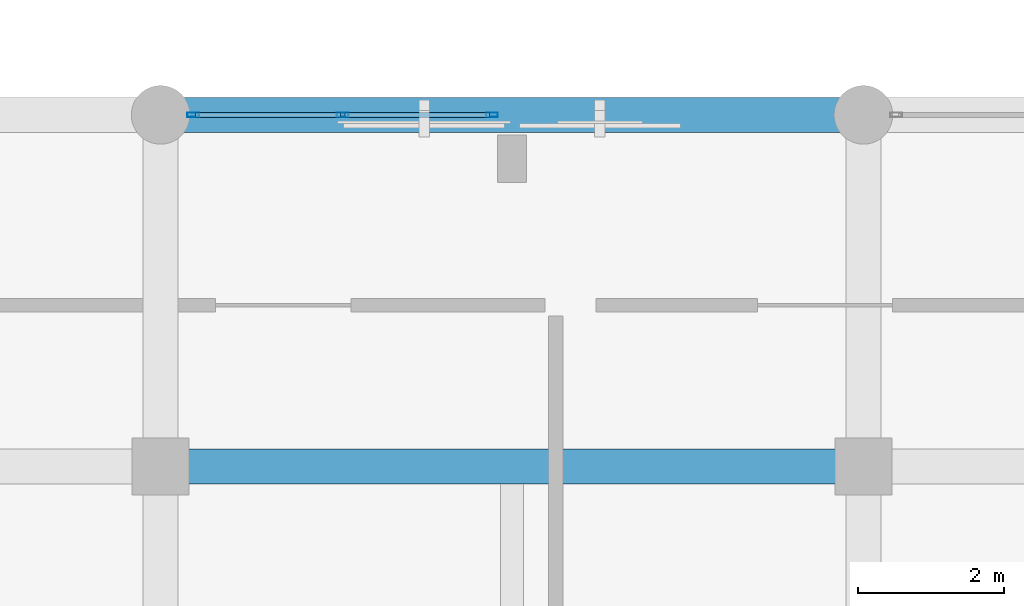
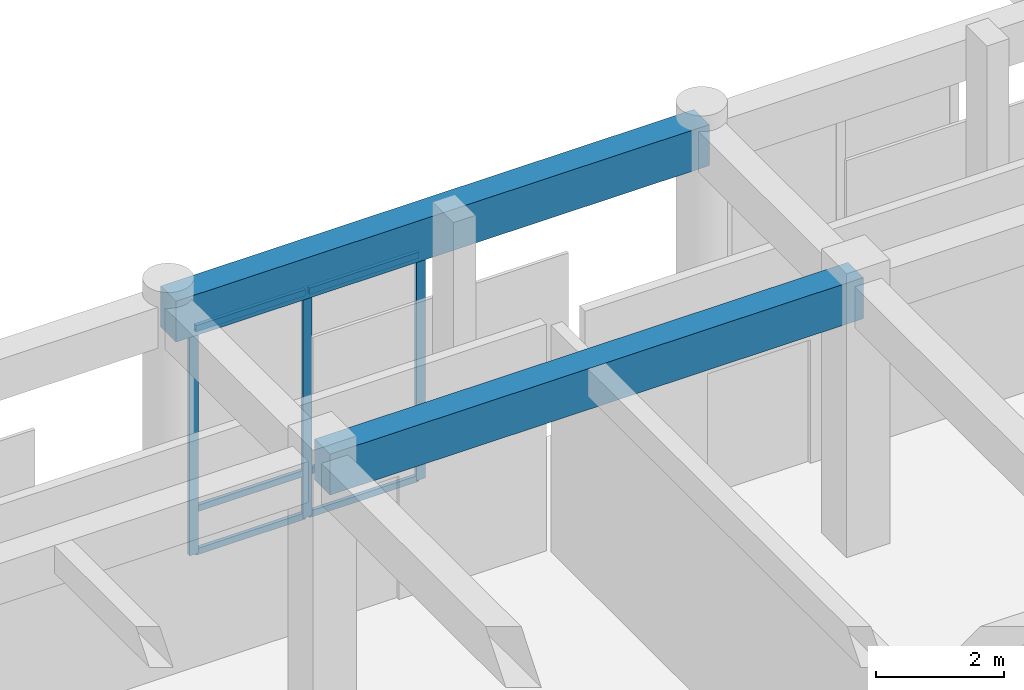
# One storey, part 32 of 134: 9 members, 2 beams, 1 element without a shape of its own.
"""IFC4 building model written with IfcOpenShell, lengths in metres."""

from ifc_helpers import new_model, si_unit, direction, frame, origin, origin_2d, place, context, subcontext, project, spatial, rectangle, hollow_rectangle, extrude, material, layer, layer_set, material_profile, profile_set, type_object, element, aggregate, save


model = new_model("IFC4")

# Units and contexts
model_context = context("Model", 3, precision=1e-05, world=origin(), true_north=direction((0.0, 1.0)))
body_context = subcontext(model_context, "Body", "Model", "MODEL_VIEW")
ifc_project = project(units=[si_unit("LENGTHUNIT", "METRE"), si_unit("AREAUNIT", "SQUARE_METRE"), si_unit("VOLUMEUNIT", "CUBIC_METRE"), si_unit("PLANEANGLEUNIT", "RADIAN"), si_unit("MASSUNIT", "GRAM", prefix="KILO")], contexts=[model_context])

# Site, building, storey
site_placement = place(None, origin())
site = spatial("IfcSite", under=ifc_project, at=site_placement, CompositionType="ELEMENT")
building_placement = place(site_placement, origin())
building = spatial("IfcBuilding", under=site, at=building_placement, Name="Nakhvara Creek Congress Hotel", CompositionType="ELEMENT")
storey_placement = place(building_placement, frame((0.0, 0.0, 6.0)))
storey = spatial("IfcBuildingStorey", under=building, at=storey_placement, Name="L01", CompositionType="ELEMENT", Elevation=6.0)

# Beams
ifc_material_1 = material(Name="Concrete C40/50", Category="concrete")
ifc_material_profile_1 = material_profile(ifc_material_1, rectangle(XDim=0.47998046875, YDim=0.780029296875, at=origin_2d()), Name="RC-BM 480x780", Category="LoadBearing")
ifc_profile_set_1 = profile_set([ifc_material_profile_1], Name="Concrete C40/50")
beam_type = type_object("IfcBeamType", Name="BM-RC-480X780", PredefinedType="BEAM", material=ifc_profile_set_1)
for number, where, z_axis, x_axis, name in (
    (1, (105.60009765625, 38.39990234375, 4.7099609375), (1.0, 0.0, 0.0), (0.0, 1.0, 0.0), "Beam B13-L01-1196"),
    (2, (105.60009765625, 43.199951171875, 4.7099609375), (1.0, 0.0, 0.0), (0.0, 1.0, 0.0), "Beam B13-L01-1197"),
):
    element("IfcBeam", number, at=place(storey_placement, frame(where, z_axis=z_axis, x_axis=x_axis)), inside=storey, type_object=beam_type, Name=name, PredefinedType="BEAM", context=body_context, shape_type="SweptSolid", body=[
        extrude(rectangle(XDim=0.47998046875, YDim=0.780029296875, at=origin_2d()), origin(), (0.0, 0.0, 1.0), 9.599853515625),
    ])

# Curtain wall, members
ifc_material_2 = material(Name="Bronze-anodised aluminium AW-6063-T6 and double-silver low-E glass", Category="aluminium")
ifc_layer = layer(ifc_material_2, 0.199951171875)
ifc_layer_set = layer_set([ifc_layer], Name="Bronze-anodised aluminium AW-6063-T6 and double-silver low-E glass")
curtain_wall_type = type_object("IfcCurtainWallType", Name="CW-POD-STICK", PredefinedType="NOTDEFINED", material=ifc_layer_set)
curtain_wall_placement = place(storey_placement, origin())
curtain_wall = element("IfcCurtainWall", 3, at=curtain_wall_placement, inside=storey, type_object=curtain_wall_type, Name="Curtain Wall CW023", PredefinedType="NOTDEFINED")
ifc_material_3 = material(Name="Bronze-anodised aluminium AW-6063-T6", Category="aluminium")
ifc_material_profile_2 = material_profile(ifc_material_3, hollow_rectangle(XDim=0.06494140625, YDim=0.159912109375, WallThickness=0.00390625, at=origin_2d()), Name="ALU-MULL 65x160x4", Category="LoadBearing")
ifc_profile_set_2 = profile_set([ifc_material_profile_2], Name="Bronze-anodised aluminium AW-6063-T6")
member_type_1 = type_object("IfcMemberType", Name="CW-MULL-160", PredefinedType="MULLION", material=ifc_profile_set_2)
member_1_placement = place(storey_placement, frame((106.047607421875, 43.199951171875, 0.0), z_axis=(0.0, 0.0, 1.0), x_axis=(0.0, 1.0, 0.0)))
member_1 = element("IfcMember", 4, at=member_1_placement, type_object=member_type_1, Name="CW023 mullion 1", PredefinedType="MULLION", context=body_context, shape_type="SweptSolid", body=[
    extrude(hollow_rectangle(XDim=0.06494140625, YDim=0.159912109375, WallThickness=0.00390625, at=origin_2d()), origin(), (0.0, 0.0, 1.0), 4.31201171875),
])
member_2_placement = place(storey_placement, frame((108.08740234375, 43.199951171875, 0.0), z_axis=(0.0, 0.0, 1.0), x_axis=(0.0, 1.0, 0.0)))
member_2 = element("IfcMember", 5, at=member_2_placement, type_object=member_type_1, Name="CW023 mullion 2", PredefinedType="MULLION", context=body_context, shape_type="SweptSolid", body=[
    extrude(hollow_rectangle(XDim=0.06494140625, YDim=0.159912109375, WallThickness=0.00390625, at=origin_2d()), origin(), (0.0, 0.0, 1.0), 4.31201171875),
])
member_3_placement = place(storey_placement, frame((110.12744140625, 43.199951171875, 0.0), z_axis=(0.0, 0.0, 1.0), x_axis=(0.0, 1.0, 0.0)))
member_3 = element("IfcMember", 6, at=member_3_placement, type_object=member_type_1, Name="CW023 mullion 3", PredefinedType="MULLION", context=body_context, shape_type="SweptSolid", body=[
    extrude(hollow_rectangle(XDim=0.06494140625, YDim=0.159912109375, WallThickness=0.00390625, at=origin_2d()), origin(), (0.0, 0.0, 1.0), 4.31201171875),
])
ifc_material_profile_3 = material_profile(ifc_material_3, hollow_rectangle(XDim=0.06494140625, YDim=0.1201171875, WallThickness=0.00390625, at=origin_2d()), Name="ALU-TRAN 65x120x4", Category="LoadBearing")
ifc_profile_set_3 = profile_set([ifc_material_profile_3], Name="Bronze-anodised aluminium AW-6063-T6")
member_type_2 = type_object("IfcMemberType", Name="CW-TRAN-120", PredefinedType="USERDEFINED", material=ifc_profile_set_3)
member_4_placement = place(storey_placement, frame((106.080078125, 43.199951171875, 0.032470703125), z_axis=(1.0, 0.0, 0.0), x_axis=(0.0, 1.0, 0.0)))
member_4 = element("IfcMember", 7, at=member_4_placement, type_object=member_type_2, Name="CW023 transom 1.1", ObjectType="TRANSOM", PredefinedType="USERDEFINED", context=body_context, shape_type="SweptSolid", body=[
    extrude(hollow_rectangle(XDim=0.06494140625, YDim=0.1201171875, WallThickness=0.00390625, at=origin_2d()), origin(), (0.0, 0.0, 1.0), 1.974853515625),
])
member_5_placement = place(storey_placement, frame((106.080078125, 43.199951171875, 0.85009765625), z_axis=(1.0, 0.0, 0.0), x_axis=(0.0, 1.0, 0.0)))
member_5 = element("IfcMember", 8, at=member_5_placement, type_object=member_type_2, Name="CW023 transom 1.2", ObjectType="TRANSOM", PredefinedType="USERDEFINED", context=body_context, shape_type="SweptSolid", body=[
    extrude(hollow_rectangle(XDim=0.06494140625, YDim=0.1201171875, WallThickness=0.00390625, at=origin_2d()), origin(), (0.0, 0.0, 1.0), 1.974853515625),
])
member_6_placement = place(storey_placement, frame((106.080078125, 43.199951171875, 4.279541015625), z_axis=(1.0, 0.0, 0.0), x_axis=(0.0, 1.0, 0.0)))
member_6 = element("IfcMember", 9, at=member_6_placement, type_object=member_type_2, Name="CW023 transom 1.3", ObjectType="TRANSOM", PredefinedType="USERDEFINED", context=body_context, shape_type="SweptSolid", body=[
    extrude(hollow_rectangle(XDim=0.06494140625, YDim=0.1201171875, WallThickness=0.00390625, at=origin_2d()), origin(), (0.0, 0.0, 1.0), 1.974853515625),
])
member_7_placement = place(storey_placement, frame((108.1201171875, 43.199951171875, 0.032470703125), z_axis=(1.0, 0.0, 0.0), x_axis=(0.0, 1.0, 0.0)))
member_7 = element("IfcMember", 10, at=member_7_placement, type_object=member_type_2, Name="CW023 transom 2.1", ObjectType="TRANSOM", PredefinedType="USERDEFINED", context=body_context, shape_type="SweptSolid", body=[
    extrude(hollow_rectangle(XDim=0.06494140625, YDim=0.1201171875, WallThickness=0.00390625, at=origin_2d()), origin(), (0.0, 0.0, 1.0), 1.974853515625),
])
member_8_placement = place(storey_placement, frame((108.1201171875, 43.199951171875, 0.85009765625), z_axis=(1.0, 0.0, 0.0), x_axis=(0.0, 1.0, 0.0)))
member_8 = element("IfcMember", 11, at=member_8_placement, type_object=member_type_2, Name="CW023 transom 2.2", ObjectType="TRANSOM", PredefinedType="USERDEFINED", context=body_context, shape_type="SweptSolid", body=[
    extrude(hollow_rectangle(XDim=0.06494140625, YDim=0.1201171875, WallThickness=0.00390625, at=origin_2d()), origin(), (0.0, 0.0, 1.0), 1.974853515625),
])
member_9_placement = place(storey_placement, frame((108.1201171875, 43.199951171875, 4.279541015625), z_axis=(1.0, 0.0, 0.0), x_axis=(0.0, 1.0, 0.0)))
member_9 = element("IfcMember", 12, at=member_9_placement, type_object=member_type_2, Name="CW023 transom 2.3", ObjectType="TRANSOM", PredefinedType="USERDEFINED", context=body_context, shape_type="SweptSolid", body=[
    extrude(hollow_rectangle(XDim=0.06494140625, YDim=0.1201171875, WallThickness=0.00390625, at=origin_2d()), origin(), (0.0, 0.0, 1.0), 1.974853515625),
])
aggregate(curtain_wall, [member_1, member_2, member_3, member_4, member_5, member_6, member_7, member_8, member_9])

save(model, "model.ifc")
